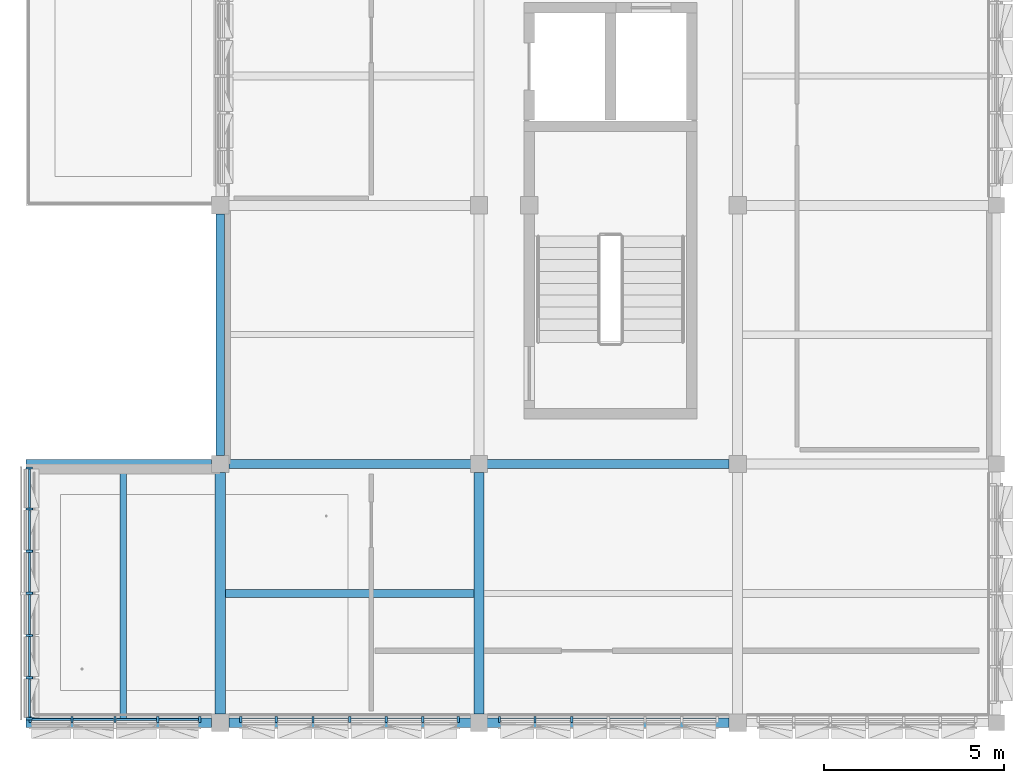
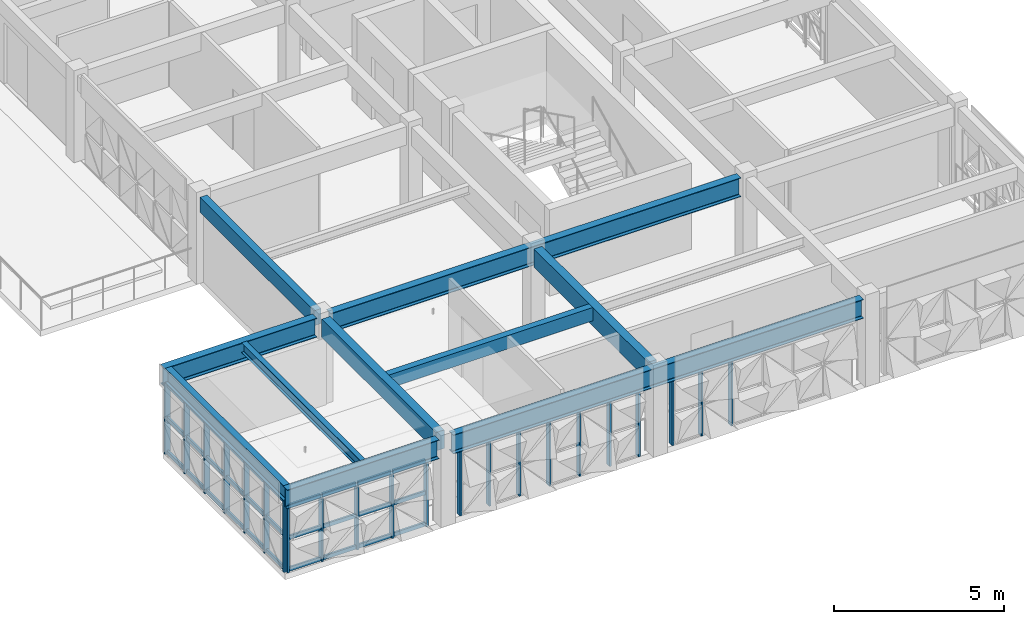
# One storey, part 2 of 35: 52 members, 10 beams, 4 elements without a shape of their own.
"""IFC4 building model written with IfcOpenShell, lengths in metres."""

from ifc_helpers import new_model, si_unit, direction, frame, origin, origin_2d, place, context, subcontext, project, spatial, rectangle, i_section, extrude, material, material_profile, profile_set, type_object, element, aggregate, save


model = new_model("IFC4")

# Units and contexts
model_context = context("Model", 3, precision=1e-05, world=origin(), true_north=direction((0.0, 1.0)))
body_context = subcontext(model_context, "Body", "Model", "MODEL_VIEW")
ifc_project = project(units=[si_unit("LENGTHUNIT", "METRE"), si_unit("AREAUNIT", "SQUARE_METRE"), si_unit("VOLUMEUNIT", "CUBIC_METRE"), si_unit("PLANEANGLEUNIT", "RADIAN"), si_unit("MASSUNIT", "GRAM", prefix="KILO")], contexts=[model_context])

# Site, building, storey
site_placement = place(None, origin())
site = spatial("IfcSite", under=ifc_project, at=site_placement, CompositionType="ELEMENT")
building_placement = place(site_placement, origin())
building = spatial("IfcBuilding", under=site, at=building_placement, Name="Alvorim Cloister Faculty of Sciences", CompositionType="ELEMENT")
storey_placement = place(building_placement, frame((0.0, 0.0, 22.949951171875)))
storey = spatial("IfcBuildingStorey", under=building, at=storey_placement, Name="L06", CompositionType="ELEMENT", Elevation=22.949951171875)

# Beams
ifc_material_1 = material(Name="Glulam GL28h", Category="wood")
ifc_material_profile_1 = material_profile(ifc_material_1, rectangle(XDim=0.280029296875, YDim=0.659912109375, at=origin_2d()), Name="GL28-BM-280x660")
ifc_profile_set_1 = profile_set([ifc_material_profile_1], Name="Glulam GL28h")
beam_type_1 = type_object("IfcBeamType", Name="BM-GL-280x660", PredefinedType="BEAM", material=ifc_profile_set_1)
for number, where, z_axis, x_axis, name in (
    (1, (7.199951171875, 7.43994140625, 2.760009765625), (0.0, 1.0, 0.0), (-1.0, 0.0, 0.0), "L06 Primary Girder BM-2064"),
    (2, (14.39990234375, 7.43994140625, 2.760009765625), (0.0, 1.0, 0.0), (-1.0, 0.0, 0.0), "L06 Primary Girder BM-2071"),
):
    element("IfcBeam", number, at=place(storey_placement, frame(where, z_axis=z_axis, x_axis=x_axis)), inside=storey, type_object=beam_type_1, Name=name, PredefinedType="BEAM", context=body_context, shape_type="SweptSolid", body=[
        extrude(rectangle(XDim=0.280029296875, YDim=0.659912109375, at=origin_2d()), origin(), (0.0, 0.0, 1.0), 6.719970703125),
    ])
ifc_material_profile_2 = material_profile(ifc_material_1, rectangle(XDim=0.219970703125, YDim=0.47998046875, at=origin_2d()), Name="GL28-JST-220x480")
ifc_profile_set_2 = profile_set([ifc_material_profile_2], Name="Glulam GL28h")
beam_type_2 = type_object("IfcBeamType", Name="BM-JST-GL-220x480", PredefinedType="JOIST", material=ifc_profile_set_2)
beam_1_placement = place(storey_placement, frame((7.340087890625, 10.800048828125, 2.85009765625), z_axis=(1.0, 0.0, 0.0), x_axis=(0.0, 1.0, 0.0)))
element("IfcBeam", 3, at=beam_1_placement, inside=storey, type_object=beam_type_2, Name="L06 Secondary Floor Joist BM-2098", PredefinedType="JOIST", context=body_context, shape_type="SweptSolid", body=[
    extrude(rectangle(XDim=0.219970703125, YDim=0.47998046875, at=origin_2d()), origin(), (0.0, 0.0, 1.0), 6.919921875),
])
ifc_material_profile_3 = material_profile(ifc_material_1, rectangle(XDim=0.239990234375, YDim=0.5400390625, at=origin_2d()), Name="GL28-SPD-240x540")
ifc_profile_set_3 = profile_set([ifc_material_profile_3], Name="Glulam GL28h")
beam_type_3 = type_object("IfcBeamType", Name="BM-SPD-GL-240x540", PredefinedType="SPANDREL", material=ifc_profile_set_3)
beam_2_placement = place(storey_placement, frame((7.199951171875, 14.639892578125, 2.820068359375), z_axis=(0.0, 1.0, 0.0), x_axis=(-1.0, 0.0, 0.0)))
element("IfcBeam", 4, at=beam_2_placement, inside=storey, type_object=beam_type_3, Name="L06 Primary Girder BM-2065", PredefinedType="SPANDREL", context=body_context, shape_type="SweptSolid", body=[
    extrude(rectangle(XDim=0.239990234375, YDim=0.5400390625, at=origin_2d()), origin(), (0.0, 0.0, 1.0), 6.72021484375),
])
ifc_material_2 = material(Name="Steel ASTM A572 Grade 50", Category="steel")
ifc_material_profile_4 = material_profile(ifc_material_2, i_section(OverallWidth=0.1708984375, OverallDepth=0.35498046875, WebThickness=0.007080078125, FlangeThickness=0.01171875, FilletRadius=0.012939453125, at=origin_2d()), Name="W360x51.0")
ifc_profile_set_4 = profile_set([ifc_material_profile_4], Name="Steel ASTM A572 Grade 50")
beam_type_4 = type_object("IfcBeamType", Name="BM-STL-W360", PredefinedType="JOIST", material=ifc_profile_set_4)
beam_3_placement = place(storey_placement, frame((4.5, 7.31005859375, 2.91259765625), z_axis=(0.0, 1.0, 0.0), x_axis=(-1.0, 0.0, 0.0)))
element("IfcBeam", 5, at=beam_3_placement, inside=storey, type_object=beam_type_4, Name="L06 Cantilever Deck Joist BM-0162", PredefinedType="JOIST", context=body_context, shape_type="SweptSolid", body=[
    extrude(i_section(OverallWidth=0.1708984375, OverallDepth=0.35498046875, WebThickness=0.007080078125, FlangeThickness=0.01171875, FilletRadius=0.012939453125, at=origin_2d()), origin(), (0.0, 0.0, 1.0), 6.97998046875),
])
ifc_material_profile_5 = material_profile(ifc_material_2, i_section(OverallWidth=0.208984375, OverallDepth=0.532958984375, WebThickness=0.01025390625, FlangeThickness=0.015625, FilletRadius=0.01611328125, at=origin_2d()), Name="W530x92.0")
ifc_profile_set_5 = profile_set([ifc_material_profile_5], Name="Steel ASTM A572 Grade 50")
beam_type_5 = type_object("IfcBeamType", Name="BM-STL-W530", PredefinedType="BEAM", material=ifc_profile_set_5)
beam_4_placement = place(storey_placement, frame((1.919921875, 7.31005859375, 2.823486328125), z_axis=(0.0, 1.0, 0.0), x_axis=(-1.0, 0.0, 0.0)))
element("IfcBeam", 6, at=beam_4_placement, inside=storey, type_object=beam_type_5, Name="L06 Cantilever Tip Header Girder BM-0161", PredefinedType="BEAM", context=body_context, shape_type="SweptSolid", body=[
    extrude(i_section(OverallWidth=0.208984375, OverallDepth=0.532958984375, WebThickness=0.01025390625, FlangeThickness=0.015625, FilletRadius=0.01611328125, at=origin_2d()), origin(), (0.0, 0.0, 1.0), 6.97998046875),
])
ifc_material_profile_6 = material_profile(ifc_material_2, i_section(OverallWidth=0.25390625, OverallDepth=0.68408203125, WebThickness=0.012451171875, FlangeThickness=0.01904296875, FilletRadius=0.01904296875, at=origin_2d()), Name="W690x140.0")
ifc_profile_set_6 = profile_set([ifc_material_profile_6], Name="Steel ASTM A572 Grade 50")
beam_type_6 = type_object("IfcBeamType", Name="BM-STL-W690", PredefinedType="BEAM", material=ifc_profile_set_6)
beam_5_placement = place(storey_placement, frame((7.43994140625, 7.199951171875, 2.748046875), z_axis=(1.0, 0.0, 0.0), x_axis=(0.0, 1.0, 0.0)))
element("IfcBeam", 7, at=beam_5_placement, inside=storey, type_object=beam_type_6, Name="L06 Cantilever Backspan Girder BM-0157", PredefinedType="BEAM", context=body_context, shape_type="SweptSolid", body=[
    extrude(i_section(OverallWidth=0.25390625, OverallDepth=0.68408203125, WebThickness=0.012451171875, FlangeThickness=0.01904296875, FilletRadius=0.01904296875, at=origin_2d()), origin(), (0.0, 0.0, 1.0), 13.920166015625),
])
beam_6_placement = place(storey_placement, frame((1.800048828125, 7.199951171875, 2.748046875), z_axis=(1.0, 0.0, 0.0), x_axis=(0.0, 1.0, 0.0)))
element("IfcBeam", 8, at=beam_6_placement, inside=storey, type_object=beam_type_6, Name="L06 Cantilever Overhang Girder BM-0158", PredefinedType="BEAM", context=body_context, shape_type="SweptSolid", body=[
    extrude(i_section(OverallWidth=0.25390625, OverallDepth=0.68408203125, WebThickness=0.012451171875, FlangeThickness=0.01904296875, FilletRadius=0.01904296875, at=origin_2d()), origin(), (0.0, 0.0, 1.0), 5.159912109375),
])
beam_7_placement = place(storey_placement, frame((7.43994140625, 14.39990234375, 2.748046875), z_axis=(1.0, 0.0, 0.0), x_axis=(0.0, 1.0, 0.0)))
element("IfcBeam", 9, at=beam_7_placement, inside=storey, type_object=beam_type_6, Name="L06 Cantilever Backspan Girder BM-0159", PredefinedType="BEAM", context=body_context, shape_type="SweptSolid", body=[
    extrude(i_section(OverallWidth=0.25390625, OverallDepth=0.68408203125, WebThickness=0.012451171875, FlangeThickness=0.01904296875, FilletRadius=0.01904296875, at=origin_2d()), origin(), (0.0, 0.0, 1.0), 13.920166015625),
])
beam_8_placement = place(storey_placement, frame((1.800048828125, 14.39990234375, 2.748046875), z_axis=(1.0, 0.0, 0.0), x_axis=(0.0, 1.0, 0.0)))
element("IfcBeam", 10, at=beam_8_placement, inside=storey, type_object=beam_type_6, Name="L06 Cantilever Overhang Girder BM-0160", PredefinedType="BEAM", context=body_context, shape_type="SweptSolid", body=[
    extrude(i_section(OverallWidth=0.25390625, OverallDepth=0.68408203125, WebThickness=0.012451171875, FlangeThickness=0.01904296875, FilletRadius=0.01904296875, at=origin_2d()), origin(), (0.0, 0.0, 1.0), 5.159912109375),
])

# Curtain wall, members
ifc_material_3 = material(Name="Aluminium and Low-E Glass Curtain Wall", Category="aluminium")
curtain_wall_type_1 = type_object("IfcCurtainWallType", Name="CW-TRI-7040x2557", PredefinedType="USERDEFINED", material=ifc_material_3)
curtain_wall_1_placement = place(storey_placement, origin())
curtain_wall_1 = element("IfcCurtainWall", 11, at=curtain_wall_1_placement, inside=storey, type_object=curtain_wall_type_1, Name="L06 Diagonal Cassette Curtain Wall CW-0240", ObjectType="UNITISED CURTAIN WALL", PredefinedType="USERDEFINED")
ifc_material_4 = material(Name="Aluminium Alloy 6063-T6", Category="aluminium")
ifc_material_profile_7 = material_profile(ifc_material_4, rectangle(XDim=0.06494140625, YDim=0.179931640625, at=origin_2d()), Name="ALU-MUL-65x180")
ifc_profile_set_7 = profile_set([ifc_material_profile_7], Name="Aluminium Alloy 6063-T6")
member_type_1 = type_object("IfcMemberType", Name="CW-MUL-65x180", PredefinedType="MULLION", material=ifc_profile_set_7)
member_1_placement = place(storey_placement, frame((1.889892578125, 7.3125, 0.0), z_axis=(0.0, 0.0, 1.0), x_axis=(0.0, 1.0, 0.0)))
member_1 = element("IfcMember", 12, at=member_1_placement, type_object=member_type_1, Name="CW-0240 Mullion 1", PredefinedType="MULLION", context=body_context, shape_type="SweptSolid", body=[
    extrude(rectangle(XDim=0.06494140625, YDim=0.179931640625, at=origin_2d()), origin(), (0.0, 0.0, 1.0), 2.55712890625),
])
member_2_placement = place(storey_placement, frame((1.889892578125, 8.453369140625, 0.0), z_axis=(0.0, 0.0, 1.0), x_axis=(0.0, 1.0, 0.0)))
member_2 = element("IfcMember", 13, at=member_2_placement, type_object=member_type_1, Name="CW-0240 Mullion 2", PredefinedType="MULLION", context=body_context, shape_type="SweptSolid", body=[
    extrude(rectangle(XDim=0.06494140625, YDim=0.179931640625, at=origin_2d()), origin(), (0.0, 0.0, 1.0), 2.55712890625),
])
member_3_placement = place(storey_placement, frame((1.889892578125, 9.626708984375, 0.0), z_axis=(0.0, 0.0, 1.0), x_axis=(0.0, 1.0, 0.0)))
member_3 = element("IfcMember", 14, at=member_3_placement, type_object=member_type_1, Name="CW-0240 Mullion 3", PredefinedType="MULLION", context=body_context, shape_type="SweptSolid", body=[
    extrude(rectangle(XDim=0.06494140625, YDim=0.179931640625, at=origin_2d()), origin(), (0.0, 0.0, 1.0), 2.55712890625),
])
member_4_placement = place(storey_placement, frame((1.889892578125, 10.800048828125, 0.0), z_axis=(0.0, 0.0, 1.0), x_axis=(0.0, 1.0, 0.0)))
member_4 = element("IfcMember", 15, at=member_4_placement, type_object=member_type_1, Name="CW-0240 Mullion 4", PredefinedType="MULLION", context=body_context, shape_type="SweptSolid", body=[
    extrude(rectangle(XDim=0.06494140625, YDim=0.179931640625, at=origin_2d()), origin(), (0.0, 0.0, 1.0), 2.55712890625),
])
member_5_placement = place(storey_placement, frame((1.889892578125, 11.973388671875, 0.0), z_axis=(0.0, 0.0, 1.0), x_axis=(0.0, 1.0, 0.0)))
member_5 = element("IfcMember", 16, at=member_5_placement, type_object=member_type_1, Name="CW-0240 Mullion 5", PredefinedType="MULLION", context=body_context, shape_type="SweptSolid", body=[
    extrude(rectangle(XDim=0.06494140625, YDim=0.179931640625, at=origin_2d()), origin(), (0.0, 0.0, 1.0), 2.55712890625),
])
member_6_placement = place(storey_placement, frame((1.889892578125, 13.146728515625, 0.0), z_axis=(0.0, 0.0, 1.0), x_axis=(0.0, 1.0, 0.0)))
member_6 = element("IfcMember", 17, at=member_6_placement, type_object=member_type_1, Name="CW-0240 Mullion 6", PredefinedType="MULLION", context=body_context, shape_type="SweptSolid", body=[
    extrude(rectangle(XDim=0.06494140625, YDim=0.179931640625, at=origin_2d()), origin(), (0.0, 0.0, 1.0), 2.55712890625),
])
member_7_placement = place(storey_placement, frame((1.889892578125, 14.28759765625, 0.0), z_axis=(0.0, 0.0, 1.0), x_axis=(0.0, 1.0, 0.0)))
member_7 = element("IfcMember", 18, at=member_7_placement, type_object=member_type_1, Name="CW-0240 Mullion 7", PredefinedType="MULLION", context=body_context, shape_type="SweptSolid", body=[
    extrude(rectangle(XDim=0.06494140625, YDim=0.179931640625, at=origin_2d()), origin(), (0.0, 0.0, 1.0), 2.55712890625),
])

curtain_wall_type_2 = type_object("IfcCurtainWallType", Name="CW-TRI-6120x2406", PredefinedType="USERDEFINED", material=ifc_material_3)
curtain_wall_2_placement = place(storey_placement, origin())
curtain_wall_2 = element("IfcCurtainWall", 19, at=curtain_wall_2_placement, inside=storey, type_object=curtain_wall_type_2, Name="L06 Diagonal Cassette Curtain Wall CW-0259", ObjectType="UNITISED CURTAIN WALL", PredefinedType="USERDEFINED")
member_8_placement = place(storey_placement, frame((14.972412109375, 7.2900390625, 0.0), z_axis=(0.0, 0.0, 1.0), x_axis=(1.0, 0.0, 0.0)))
member_8 = element("IfcMember", 20, at=member_8_placement, type_object=member_type_1, Name="CW-0259 Mullion 1", PredefinedType="MULLION", context=body_context, shape_type="SweptSolid", body=[
    extrude(rectangle(XDim=0.06494140625, YDim=0.179931640625, at=origin_2d()), origin(), (0.0, 0.0, 1.0), 2.406005859375),
])
member_9_placement = place(storey_placement, frame((15.9599609375, 7.2900390625, 0.0), z_axis=(0.0, 0.0, 1.0), x_axis=(1.0, 0.0, 0.0)))
member_9 = element("IfcMember", 21, at=member_9_placement, type_object=member_type_1, Name="CW-0259 Mullion 2", PredefinedType="MULLION", context=body_context, shape_type="SweptSolid", body=[
    extrude(rectangle(XDim=0.06494140625, YDim=0.179931640625, at=origin_2d()), origin(), (0.0, 0.0, 1.0), 2.406005859375),
])
member_10_placement = place(storey_placement, frame((16.97998046875, 7.2900390625, 0.0), z_axis=(0.0, 0.0, 1.0), x_axis=(1.0, 0.0, 0.0)))
member_10 = element("IfcMember", 22, at=member_10_placement, type_object=member_type_1, Name="CW-0259 Mullion 3", PredefinedType="MULLION", context=body_context, shape_type="SweptSolid", body=[
    extrude(rectangle(XDim=0.06494140625, YDim=0.179931640625, at=origin_2d()), origin(), (0.0, 0.0, 1.0), 2.406005859375),
])
aggregate(curtain_wall_2, [member_8, member_9, member_10])

curtain_wall_3_placement = place(storey_placement, origin())
curtain_wall_3 = element("IfcCurtainWall", 23, at=curtain_wall_3_placement, inside=storey, type_object=curtain_wall_type_2, Name="L06 Diagonal Cassette Curtain Wall CW-0260", ObjectType="UNITISED CURTAIN WALL", PredefinedType="USERDEFINED")
member_11_placement = place(storey_placement, frame((7.7724609375, 7.2900390625, 0.0), z_axis=(0.0, 0.0, 1.0), x_axis=(1.0, 0.0, 0.0)))
member_11 = element("IfcMember", 24, at=member_11_placement, type_object=member_type_1, Name="CW-0260 Mullion 1", PredefinedType="MULLION", context=body_context, shape_type="SweptSolid", body=[
    extrude(rectangle(XDim=0.06494140625, YDim=0.179931640625, at=origin_2d()), origin(), (0.0, 0.0, 1.0), 2.406005859375),
])
member_12_placement = place(storey_placement, frame((8.760009765625, 7.2900390625, 0.0), z_axis=(0.0, 0.0, 1.0), x_axis=(1.0, 0.0, 0.0)))
member_12 = element("IfcMember", 25, at=member_12_placement, type_object=member_type_1, Name="CW-0260 Mullion 2", PredefinedType="MULLION", context=body_context, shape_type="SweptSolid", body=[
    extrude(rectangle(XDim=0.06494140625, YDim=0.179931640625, at=origin_2d()), origin(), (0.0, 0.0, 1.0), 2.406005859375),
])
member_13_placement = place(storey_placement, frame((9.780029296875, 7.2900390625, 0.0), z_axis=(0.0, 0.0, 1.0), x_axis=(1.0, 0.0, 0.0)))
member_13 = element("IfcMember", 26, at=member_13_placement, type_object=member_type_1, Name="CW-0260 Mullion 3", PredefinedType="MULLION", context=body_context, shape_type="SweptSolid", body=[
    extrude(rectangle(XDim=0.06494140625, YDim=0.179931640625, at=origin_2d()), origin(), (0.0, 0.0, 1.0), 2.406005859375),
])
member_14_placement = place(storey_placement, frame((10.800048828125, 7.2900390625, 0.0), z_axis=(0.0, 0.0, 1.0), x_axis=(1.0, 0.0, 0.0)))
member_14 = element("IfcMember", 27, at=member_14_placement, type_object=member_type_1, Name="CW-0260 Mullion 4", PredefinedType="MULLION", context=body_context, shape_type="SweptSolid", body=[
    extrude(rectangle(XDim=0.06494140625, YDim=0.179931640625, at=origin_2d()), origin(), (0.0, 0.0, 1.0), 2.406005859375),
])
member_15_placement = place(storey_placement, frame((11.820068359375, 7.2900390625, 0.0), z_axis=(0.0, 0.0, 1.0), x_axis=(1.0, 0.0, 0.0)))
member_15 = element("IfcMember", 28, at=member_15_placement, type_object=member_type_1, Name="CW-0260 Mullion 5", PredefinedType="MULLION", context=body_context, shape_type="SweptSolid", body=[
    extrude(rectangle(XDim=0.06494140625, YDim=0.179931640625, at=origin_2d()), origin(), (0.0, 0.0, 1.0), 2.406005859375),
])
member_16_placement = place(storey_placement, frame((12.840087890625, 7.2900390625, 0.0), z_axis=(0.0, 0.0, 1.0), x_axis=(1.0, 0.0, 0.0)))
member_16 = element("IfcMember", 29, at=member_16_placement, type_object=member_type_1, Name="CW-0260 Mullion 6", PredefinedType="MULLION", context=body_context, shape_type="SweptSolid", body=[
    extrude(rectangle(XDim=0.06494140625, YDim=0.179931640625, at=origin_2d()), origin(), (0.0, 0.0, 1.0), 2.406005859375),
])
member_17_placement = place(storey_placement, frame((13.827392578125, 7.2900390625, 0.0), z_axis=(0.0, 0.0, 1.0), x_axis=(1.0, 0.0, 0.0)))
member_17 = element("IfcMember", 30, at=member_17_placement, type_object=member_type_1, Name="CW-0260 Mullion 7", PredefinedType="MULLION", context=body_context, shape_type="SweptSolid", body=[
    extrude(rectangle(XDim=0.06494140625, YDim=0.179931640625, at=origin_2d()), origin(), (0.0, 0.0, 1.0), 2.406005859375),
])
aggregate(curtain_wall_3, [member_11, member_12, member_13, member_14, member_15, member_16, member_17])

curtain_wall_type_3 = type_object("IfcCurtainWallType", Name="CW-TRI-4780x2406", PredefinedType="USERDEFINED", material=ifc_material_3)
curtain_wall_4_placement = place(storey_placement, origin())
curtain_wall_4 = element("IfcCurtainWall", 31, at=curtain_wall_4_placement, inside=storey, type_object=curtain_wall_type_3, Name="L06 Diagonal Cassette Curtain Wall CW-0261", ObjectType="UNITISED CURTAIN WALL", PredefinedType="USERDEFINED")
member_18_placement = place(storey_placement, frame((1.91259765625, 7.2900390625, 0.0), z_axis=(0.0, 0.0, 1.0), x_axis=(1.0, 0.0, 0.0)))
member_18 = element("IfcMember", 32, at=member_18_placement, type_object=member_type_1, Name="CW-0261 Mullion 1", PredefinedType="MULLION", context=body_context, shape_type="SweptSolid", body=[
    extrude(rectangle(XDim=0.06494140625, YDim=0.179931640625, at=origin_2d()), origin(), (0.0, 0.0, 1.0), 2.406005859375),
])
member_19_placement = place(storey_placement, frame((3.074951171875, 7.2900390625, 0.0), z_axis=(0.0, 0.0, 1.0), x_axis=(1.0, 0.0, 0.0)))
member_19 = element("IfcMember", 33, at=member_19_placement, type_object=member_type_1, Name="CW-0261 Mullion 2", PredefinedType="MULLION", context=body_context, shape_type="SweptSolid", body=[
    extrude(rectangle(XDim=0.06494140625, YDim=0.179931640625, at=origin_2d()), origin(), (0.0, 0.0, 1.0), 2.406005859375),
])
member_20_placement = place(storey_placement, frame((4.27001953125, 7.2900390625, 0.0), z_axis=(0.0, 0.0, 1.0), x_axis=(1.0, 0.0, 0.0)))
member_20 = element("IfcMember", 34, at=member_20_placement, type_object=member_type_1, Name="CW-0261 Mullion 3", PredefinedType="MULLION", context=body_context, shape_type="SweptSolid", body=[
    extrude(rectangle(XDim=0.06494140625, YDim=0.179931640625, at=origin_2d()), origin(), (0.0, 0.0, 1.0), 2.406005859375),
])
member_21_placement = place(storey_placement, frame((5.465087890625, 7.2900390625, 0.0), z_axis=(0.0, 0.0, 1.0), x_axis=(1.0, 0.0, 0.0)))
member_21 = element("IfcMember", 35, at=member_21_placement, type_object=member_type_1, Name="CW-0261 Mullion 4", PredefinedType="MULLION", context=body_context, shape_type="SweptSolid", body=[
    extrude(rectangle(XDim=0.06494140625, YDim=0.179931640625, at=origin_2d()), origin(), (0.0, 0.0, 1.0), 2.406005859375),
])
member_22_placement = place(storey_placement, frame((6.62744140625, 7.2900390625, 0.0), z_axis=(0.0, 0.0, 1.0), x_axis=(1.0, 0.0, 0.0)))
member_22 = element("IfcMember", 36, at=member_22_placement, type_object=member_type_1, Name="CW-0261 Mullion 5", PredefinedType="MULLION", context=body_context, shape_type="SweptSolid", body=[
    extrude(rectangle(XDim=0.06494140625, YDim=0.179931640625, at=origin_2d()), origin(), (0.0, 0.0, 1.0), 2.406005859375),
])

# Member
ifc_material_profile_8 = material_profile(ifc_material_4, rectangle(XDim=0.06494140625, YDim=0.139892578125, at=origin_2d()), Name="ALU-TRN-65x140")
ifc_profile_set_8 = profile_set([ifc_material_profile_8], Name="Aluminium Alloy 6063-T6")
member_type_2 = type_object("IfcMemberType", Name="CW-TRN-65x140", PredefinedType="USERDEFINED", material=ifc_profile_set_8)
member_23_placement = place(storey_placement, frame((1.889892578125, 7.344970703125, 0.070068359375), z_axis=(0.0, 1.0, 0.0), x_axis=(-1.0, 0.0, 0.0)))
member_23 = element("IfcMember", 37, at=member_23_placement, type_object=member_type_2, Name="CW-0240 Transom 1.1", ObjectType="TRANSOM", PredefinedType="USERDEFINED", context=body_context, shape_type="SweptSolid", body=[
    extrude(rectangle(XDim=0.06494140625, YDim=0.139892578125, at=origin_2d()), origin(), (0.0, 0.0, 1.0), 1.075927734375),
])

member_24_placement = place(storey_placement, frame((1.889892578125, 7.344970703125, 1.278564453125), z_axis=(0.0, 1.0, 0.0), x_axis=(-1.0, 0.0, 0.0)))
member_24 = element("IfcMember", 38, at=member_24_placement, type_object=member_type_2, Name="CW-0240 Transom 1.2", ObjectType="TRANSOM", PredefinedType="USERDEFINED", context=body_context, shape_type="SweptSolid", body=[
    extrude(rectangle(XDim=0.06494140625, YDim=0.139892578125, at=origin_2d()), origin(), (0.0, 0.0, 1.0), 1.075927734375),
])

member_25_placement = place(storey_placement, frame((1.889892578125, 7.344970703125, 2.487060546875), z_axis=(0.0, 1.0, 0.0), x_axis=(-1.0, 0.0, 0.0)))
member_25 = element("IfcMember", 39, at=member_25_placement, type_object=member_type_2, Name="CW-0240 Transom 1.3", ObjectType="TRANSOM", PredefinedType="USERDEFINED", context=body_context, shape_type="SweptSolid", body=[
    extrude(rectangle(XDim=0.06494140625, YDim=0.139892578125, at=origin_2d()), origin(), (0.0, 0.0, 1.0), 1.075927734375),
])

member_26_placement = place(storey_placement, frame((1.889892578125, 8.48583984375, 0.070068359375), z_axis=(0.0, 1.0, 0.0), x_axis=(-1.0, 0.0, 0.0)))
member_26 = element("IfcMember", 40, at=member_26_placement, type_object=member_type_2, Name="CW-0240 Transom 2.1", ObjectType="TRANSOM", PredefinedType="USERDEFINED", context=body_context, shape_type="SweptSolid", body=[
    extrude(rectangle(XDim=0.06494140625, YDim=0.139892578125, at=origin_2d()), origin(), (0.0, 0.0, 1.0), 1.1083984375),
])

member_27_placement = place(storey_placement, frame((1.889892578125, 8.48583984375, 1.278564453125), z_axis=(0.0, 1.0, 0.0), x_axis=(-1.0, 0.0, 0.0)))
member_27 = element("IfcMember", 41, at=member_27_placement, type_object=member_type_2, Name="CW-0240 Transom 2.2", ObjectType="TRANSOM", PredefinedType="USERDEFINED", context=body_context, shape_type="SweptSolid", body=[
    extrude(rectangle(XDim=0.06494140625, YDim=0.139892578125, at=origin_2d()), origin(), (0.0, 0.0, 1.0), 1.1083984375),
])

member_28_placement = place(storey_placement, frame((1.889892578125, 8.48583984375, 2.487060546875), z_axis=(0.0, 1.0, 0.0), x_axis=(-1.0, 0.0, 0.0)))
member_28 = element("IfcMember", 42, at=member_28_placement, type_object=member_type_2, Name="CW-0240 Transom 2.3", ObjectType="TRANSOM", PredefinedType="USERDEFINED", context=body_context, shape_type="SweptSolid", body=[
    extrude(rectangle(XDim=0.06494140625, YDim=0.139892578125, at=origin_2d()), origin(), (0.0, 0.0, 1.0), 1.1083984375),
])

member_29_placement = place(storey_placement, frame((1.889892578125, 9.6591796875, 0.070068359375), z_axis=(0.0, 1.0, 0.0), x_axis=(-1.0, 0.0, 0.0)))
member_29 = element("IfcMember", 43, at=member_29_placement, type_object=member_type_2, Name="CW-0240 Transom 3.1", ObjectType="TRANSOM", PredefinedType="USERDEFINED", context=body_context, shape_type="SweptSolid", body=[
    extrude(rectangle(XDim=0.06494140625, YDim=0.139892578125, at=origin_2d()), origin(), (0.0, 0.0, 1.0), 1.1083984375),
])

member_30_placement = place(storey_placement, frame((1.889892578125, 9.6591796875, 1.278564453125), z_axis=(0.0, 1.0, 0.0), x_axis=(-1.0, 0.0, 0.0)))
member_30 = element("IfcMember", 44, at=member_30_placement, type_object=member_type_2, Name="CW-0240 Transom 3.2", ObjectType="TRANSOM", PredefinedType="USERDEFINED", context=body_context, shape_type="SweptSolid", body=[
    extrude(rectangle(XDim=0.06494140625, YDim=0.139892578125, at=origin_2d()), origin(), (0.0, 0.0, 1.0), 1.1083984375),
])

member_31_placement = place(storey_placement, frame((1.889892578125, 9.6591796875, 2.487060546875), z_axis=(0.0, 1.0, 0.0), x_axis=(-1.0, 0.0, 0.0)))
member_31 = element("IfcMember", 45, at=member_31_placement, type_object=member_type_2, Name="CW-0240 Transom 3.3", ObjectType="TRANSOM", PredefinedType="USERDEFINED", context=body_context, shape_type="SweptSolid", body=[
    extrude(rectangle(XDim=0.06494140625, YDim=0.139892578125, at=origin_2d()), origin(), (0.0, 0.0, 1.0), 1.1083984375),
])

member_32_placement = place(storey_placement, frame((1.889892578125, 10.83251953125, 0.070068359375), z_axis=(0.0, 1.0, 0.0), x_axis=(-1.0, 0.0, 0.0)))
member_32 = element("IfcMember", 46, at=member_32_placement, type_object=member_type_2, Name="CW-0240 Transom 4.1", ObjectType="TRANSOM", PredefinedType="USERDEFINED", context=body_context, shape_type="SweptSolid", body=[
    extrude(rectangle(XDim=0.06494140625, YDim=0.139892578125, at=origin_2d()), origin(), (0.0, 0.0, 1.0), 1.1083984375),
])

member_33_placement = place(storey_placement, frame((1.889892578125, 10.83251953125, 1.278564453125), z_axis=(0.0, 1.0, 0.0), x_axis=(-1.0, 0.0, 0.0)))
member_33 = element("IfcMember", 47, at=member_33_placement, type_object=member_type_2, Name="CW-0240 Transom 4.2", ObjectType="TRANSOM", PredefinedType="USERDEFINED", context=body_context, shape_type="SweptSolid", body=[
    extrude(rectangle(XDim=0.06494140625, YDim=0.139892578125, at=origin_2d()), origin(), (0.0, 0.0, 1.0), 1.1083984375),
])

member_34_placement = place(storey_placement, frame((1.889892578125, 10.83251953125, 2.487060546875), z_axis=(0.0, 1.0, 0.0), x_axis=(-1.0, 0.0, 0.0)))
member_34 = element("IfcMember", 48, at=member_34_placement, type_object=member_type_2, Name="CW-0240 Transom 4.3", ObjectType="TRANSOM", PredefinedType="USERDEFINED", context=body_context, shape_type="SweptSolid", body=[
    extrude(rectangle(XDim=0.06494140625, YDim=0.139892578125, at=origin_2d()), origin(), (0.0, 0.0, 1.0), 1.1083984375),
])

member_35_placement = place(storey_placement, frame((1.889892578125, 12.005859375, 0.070068359375), z_axis=(0.0, 1.0, 0.0), x_axis=(-1.0, 0.0, 0.0)))
member_35 = element("IfcMember", 49, at=member_35_placement, type_object=member_type_2, Name="CW-0240 Transom 5.1", ObjectType="TRANSOM", PredefinedType="USERDEFINED", context=body_context, shape_type="SweptSolid", body=[
    extrude(rectangle(XDim=0.06494140625, YDim=0.139892578125, at=origin_2d()), origin(), (0.0, 0.0, 1.0), 1.1083984375),
])

member_36_placement = place(storey_placement, frame((1.889892578125, 12.005859375, 1.278564453125), z_axis=(0.0, 1.0, 0.0), x_axis=(-1.0, 0.0, 0.0)))
member_36 = element("IfcMember", 50, at=member_36_placement, type_object=member_type_2, Name="CW-0240 Transom 5.2", ObjectType="TRANSOM", PredefinedType="USERDEFINED", context=body_context, shape_type="SweptSolid", body=[
    extrude(rectangle(XDim=0.06494140625, YDim=0.139892578125, at=origin_2d()), origin(), (0.0, 0.0, 1.0), 1.1083984375),
])

member_37_placement = place(storey_placement, frame((1.889892578125, 12.005859375, 2.487060546875), z_axis=(0.0, 1.0, 0.0), x_axis=(-1.0, 0.0, 0.0)))
member_37 = element("IfcMember", 51, at=member_37_placement, type_object=member_type_2, Name="CW-0240 Transom 5.3", ObjectType="TRANSOM", PredefinedType="USERDEFINED", context=body_context, shape_type="SweptSolid", body=[
    extrude(rectangle(XDim=0.06494140625, YDim=0.139892578125, at=origin_2d()), origin(), (0.0, 0.0, 1.0), 1.1083984375),
])

member_38_placement = place(storey_placement, frame((1.889892578125, 13.17919921875, 0.070068359375), z_axis=(0.0, 1.0, 0.0), x_axis=(-1.0, 0.0, 0.0)))
member_38 = element("IfcMember", 52, at=member_38_placement, type_object=member_type_2, Name="CW-0240 Transom 6.1", ObjectType="TRANSOM", PredefinedType="USERDEFINED", context=body_context, shape_type="SweptSolid", body=[
    extrude(rectangle(XDim=0.06494140625, YDim=0.139892578125, at=origin_2d()), origin(), (0.0, 0.0, 1.0), 1.07568359375),
])

member_39_placement = place(storey_placement, frame((1.889892578125, 13.17919921875, 1.278564453125), z_axis=(0.0, 1.0, 0.0), x_axis=(-1.0, 0.0, 0.0)))
member_39 = element("IfcMember", 53, at=member_39_placement, type_object=member_type_2, Name="CW-0240 Transom 6.2", ObjectType="TRANSOM", PredefinedType="USERDEFINED", context=body_context, shape_type="SweptSolid", body=[
    extrude(rectangle(XDim=0.06494140625, YDim=0.139892578125, at=origin_2d()), origin(), (0.0, 0.0, 1.0), 1.07568359375),
])

member_40_placement = place(storey_placement, frame((1.889892578125, 13.17919921875, 2.487060546875), z_axis=(0.0, 1.0, 0.0), x_axis=(-1.0, 0.0, 0.0)))
member_40 = element("IfcMember", 54, at=member_40_placement, type_object=member_type_2, Name="CW-0240 Transom 6.3", ObjectType="TRANSOM", PredefinedType="USERDEFINED", context=body_context, shape_type="SweptSolid", body=[
    extrude(rectangle(XDim=0.06494140625, YDim=0.139892578125, at=origin_2d()), origin(), (0.0, 0.0, 1.0), 1.07568359375),
])

aggregate(curtain_wall_1, [member_1, member_2, member_3, member_4, member_5, member_6, member_7, member_23, member_24, member_25, member_26, member_27, member_28, member_29, member_30, member_31, member_32, member_33, member_34, member_35, member_36, member_37, member_38, member_39, member_40])

member_41_placement = place(storey_placement, frame((1.945068359375, 7.2900390625, 0.070068359375), z_axis=(1.0, 0.0, 0.0), x_axis=(0.0, 1.0, 0.0)))
member_41 = element("IfcMember", 55, at=member_41_placement, type_object=member_type_2, Name="CW-0261 Transom 1.1", ObjectType="TRANSOM", PredefinedType="USERDEFINED", context=body_context, shape_type="SweptSolid", body=[
    extrude(rectangle(XDim=0.06494140625, YDim=0.139892578125, at=origin_2d()), origin(), (0.0, 0.0, 1.0), 1.097412109375),
])

member_42_placement = place(storey_placement, frame((1.945068359375, 7.2900390625, 1.203125), z_axis=(1.0, 0.0, 0.0), x_axis=(0.0, 1.0, 0.0)))
member_42 = element("IfcMember", 56, at=member_42_placement, type_object=member_type_2, Name="CW-0261 Transom 1.2", ObjectType="TRANSOM", PredefinedType="USERDEFINED", context=body_context, shape_type="SweptSolid", body=[
    extrude(rectangle(XDim=0.06494140625, YDim=0.139892578125, at=origin_2d()), origin(), (0.0, 0.0, 1.0), 1.097412109375),
])

member_43_placement = place(storey_placement, frame((1.945068359375, 7.2900390625, 2.3359375), z_axis=(1.0, 0.0, 0.0), x_axis=(0.0, 1.0, 0.0)))
member_43 = element("IfcMember", 57, at=member_43_placement, type_object=member_type_2, Name="CW-0261 Transom 1.3", ObjectType="TRANSOM", PredefinedType="USERDEFINED", context=body_context, shape_type="SweptSolid", body=[
    extrude(rectangle(XDim=0.06494140625, YDim=0.139892578125, at=origin_2d()), origin(), (0.0, 0.0, 1.0), 1.097412109375),
])

member_44_placement = place(storey_placement, frame((3.107421875, 7.2900390625, 0.070068359375), z_axis=(1.0, 0.0, 0.0), x_axis=(0.0, 1.0, 0.0)))
member_44 = element("IfcMember", 58, at=member_44_placement, type_object=member_type_2, Name="CW-0261 Transom 2.1", ObjectType="TRANSOM", PredefinedType="USERDEFINED", context=body_context, shape_type="SweptSolid", body=[
    extrude(rectangle(XDim=0.06494140625, YDim=0.139892578125, at=origin_2d()), origin(), (0.0, 0.0, 1.0), 1.130126953125),
])

member_45_placement = place(storey_placement, frame((3.107421875, 7.2900390625, 1.203125), z_axis=(1.0, 0.0, 0.0), x_axis=(0.0, 1.0, 0.0)))
member_45 = element("IfcMember", 59, at=member_45_placement, type_object=member_type_2, Name="CW-0261 Transom 2.2", ObjectType="TRANSOM", PredefinedType="USERDEFINED", context=body_context, shape_type="SweptSolid", body=[
    extrude(rectangle(XDim=0.06494140625, YDim=0.139892578125, at=origin_2d()), origin(), (0.0, 0.0, 1.0), 1.130126953125),
])

member_46_placement = place(storey_placement, frame((3.107421875, 7.2900390625, 2.3359375), z_axis=(1.0, 0.0, 0.0), x_axis=(0.0, 1.0, 0.0)))
member_46 = element("IfcMember", 60, at=member_46_placement, type_object=member_type_2, Name="CW-0261 Transom 2.3", ObjectType="TRANSOM", PredefinedType="USERDEFINED", context=body_context, shape_type="SweptSolid", body=[
    extrude(rectangle(XDim=0.06494140625, YDim=0.139892578125, at=origin_2d()), origin(), (0.0, 0.0, 1.0), 1.130126953125),
])

member_47_placement = place(storey_placement, frame((4.302490234375, 7.2900390625, 0.070068359375), z_axis=(1.0, 0.0, 0.0), x_axis=(0.0, 1.0, 0.0)))
member_47 = element("IfcMember", 61, at=member_47_placement, type_object=member_type_2, Name="CW-0261 Transom 3.1", ObjectType="TRANSOM", PredefinedType="USERDEFINED", context=body_context, shape_type="SweptSolid", body=[
    extrude(rectangle(XDim=0.06494140625, YDim=0.139892578125, at=origin_2d()), origin(), (0.0, 0.0, 1.0), 1.130126953125),
])

member_48_placement = place(storey_placement, frame((4.302490234375, 7.2900390625, 1.203125), z_axis=(1.0, 0.0, 0.0), x_axis=(0.0, 1.0, 0.0)))
member_48 = element("IfcMember", 62, at=member_48_placement, type_object=member_type_2, Name="CW-0261 Transom 3.2", ObjectType="TRANSOM", PredefinedType="USERDEFINED", context=body_context, shape_type="SweptSolid", body=[
    extrude(rectangle(XDim=0.06494140625, YDim=0.139892578125, at=origin_2d()), origin(), (0.0, 0.0, 1.0), 1.130126953125),
])

member_49_placement = place(storey_placement, frame((4.302490234375, 7.2900390625, 2.3359375), z_axis=(1.0, 0.0, 0.0), x_axis=(0.0, 1.0, 0.0)))
member_49 = element("IfcMember", 63, at=member_49_placement, type_object=member_type_2, Name="CW-0261 Transom 3.3", ObjectType="TRANSOM", PredefinedType="USERDEFINED", context=body_context, shape_type="SweptSolid", body=[
    extrude(rectangle(XDim=0.06494140625, YDim=0.139892578125, at=origin_2d()), origin(), (0.0, 0.0, 1.0), 1.130126953125),
])

member_50_placement = place(storey_placement, frame((5.49755859375, 7.2900390625, 0.070068359375), z_axis=(1.0, 0.0, 0.0), x_axis=(0.0, 1.0, 0.0)))
member_50 = element("IfcMember", 64, at=member_50_placement, type_object=member_type_2, Name="CW-0261 Transom 4.1", ObjectType="TRANSOM", PredefinedType="USERDEFINED", context=body_context, shape_type="SweptSolid", body=[
    extrude(rectangle(XDim=0.06494140625, YDim=0.139892578125, at=origin_2d()), origin(), (0.0, 0.0, 1.0), 1.097412109375),
])

member_51_placement = place(storey_placement, frame((5.49755859375, 7.2900390625, 1.203125), z_axis=(1.0, 0.0, 0.0), x_axis=(0.0, 1.0, 0.0)))
member_51 = element("IfcMember", 65, at=member_51_placement, type_object=member_type_2, Name="CW-0261 Transom 4.2", ObjectType="TRANSOM", PredefinedType="USERDEFINED", context=body_context, shape_type="SweptSolid", body=[
    extrude(rectangle(XDim=0.06494140625, YDim=0.139892578125, at=origin_2d()), origin(), (0.0, 0.0, 1.0), 1.097412109375),
])

member_52_placement = place(storey_placement, frame((5.49755859375, 7.2900390625, 2.3359375), z_axis=(1.0, 0.0, 0.0), x_axis=(0.0, 1.0, 0.0)))
member_52 = element("IfcMember", 66, at=member_52_placement, type_object=member_type_2, Name="CW-0261 Transom 4.3", ObjectType="TRANSOM", PredefinedType="USERDEFINED", context=body_context, shape_type="SweptSolid", body=[
    extrude(rectangle(XDim=0.06494140625, YDim=0.139892578125, at=origin_2d()), origin(), (0.0, 0.0, 1.0), 1.097412109375),
])

aggregate(curtain_wall_4, [member_18, member_19, member_20, member_21, member_22, member_41, member_42, member_43, member_44, member_45, member_46, member_47, member_48, member_49, member_50, member_51, member_52])

save(model, "model.ifc")
